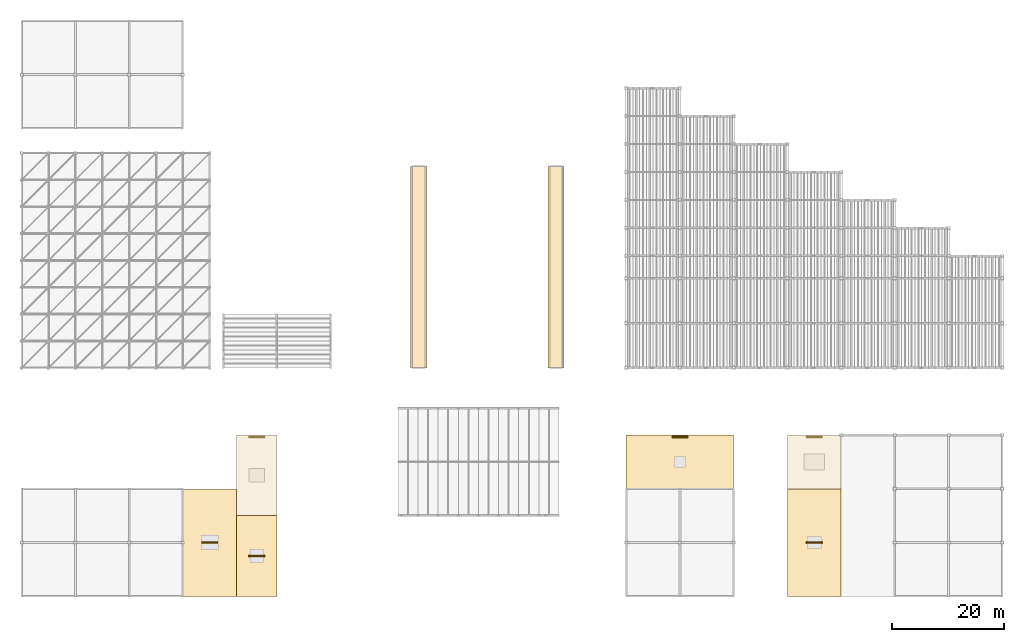
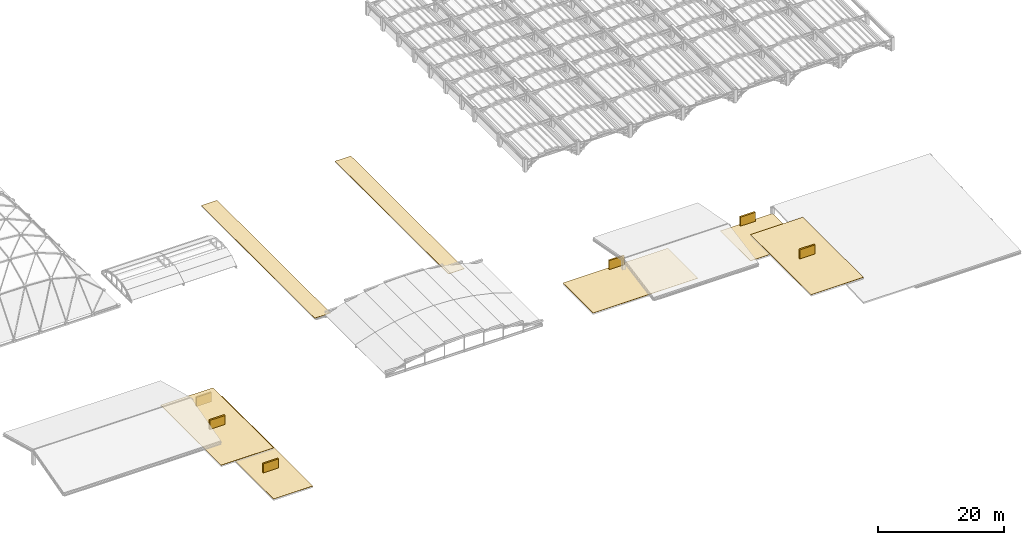
# One storey, part 70 of 70: 8 coverings, 6 shading devices.
"""IFC4 building model written with IfcOpenShell, lengths in metres."""

from ifc_helpers import new_model, si_unit, direction, frame, origin, origin_2d, place, context, subcontext, project, spatial, polyline, rectangle, outline, extrude, material, layer, layer_set, type_object, element, save


model = new_model("IFC4")

# Units and contexts
model_context = context("Model", 3, precision=1e-05, world=origin(), true_north=direction((0.0, 1.0)))
body_context = subcontext(model_context, "Body", "Model", "MODEL_VIEW")
ifc_project = project(units=[si_unit("LENGTHUNIT", "METRE"), si_unit("AREAUNIT", "SQUARE_METRE"), si_unit("VOLUMEUNIT", "CUBIC_METRE"), si_unit("PLANEANGLEUNIT", "RADIAN"), si_unit("MASSUNIT", "GRAM", prefix="KILO")], contexts=[model_context])

# Site, building, storey
site_placement = place(None, origin())
site = spatial("IfcSite", under=ifc_project, at=site_placement, CompositionType="ELEMENT")
building_placement = place(site_placement, origin())
building = spatial("IfcBuilding", under=site, at=building_placement, Name="Mavantir Sound Aquarium", CompositionType="ELEMENT")
storey_placement = place(building_placement, frame((0.0, 0.0, 27.0)))
storey = spatial("IfcBuildingStorey", under=building, at=storey_placement, Name="RF", CompositionType="ELEMENT", Elevation=27.0)

# Coverings
ifc_material_1 = material(Name="High-Albedo Cool Roof Membrane")
ifc_layer_1 = layer(ifc_material_1, 0.06005859375, Name="High-Albedo Cool Roof Membrane")
ifc_layer_set_1 = layer_set([ifc_layer_1], Name="High-Albedo Cool Roof Membrane")
covering_type_1 = type_object("IfcCoveringType", Name="COV-ROOF-COOL", PredefinedType="ROOFING", material=ifc_layer_set_1)
covering_1_placement = place(storey_placement, frame((0.0, 0.0, -21.60009765625)))
element("IfcCovering", 1, at=covering_1_placement, inside=storey, type_object=covering_type_1, Name="Roof membrane covering RF-FLAT-V6NW", PredefinedType="ROOFING", context=body_context, shape_type="SweptSolid", body=[
    extrude(outline(polyline([(108.0, 19.199951171875), (127.199951171875, 19.199951171875), (127.199951171875, 28.800048828125), (108.0, 28.800048828125), (108.0, 19.199951171875)])), origin(), (0.0, 0.0, 1.0), 0.050048828125),
])
covering_2_placement = place(storey_placement, frame((0.0, 0.0, -21.60009765625)))
element("IfcCovering", 2, at=covering_2_placement, inside=storey, type_object=covering_type_1, Name="Roof membrane covering RF-FLAT-V6NE", PredefinedType="ROOFING", context=body_context, shape_type="SweptSolid", body=[
    extrude(outline(polyline([(136.800048828125, 19.199951171875), (146.39990234375, 19.199951171875), (146.39990234375, 28.800048828125), (136.800048828125, 28.800048828125), (136.800048828125, 19.199951171875)])), origin(), (0.0, 0.0, 1.0), 0.050048828125),
])
covering_3_placement = place(storey_placement, frame((0.0, 0.0, -16.5)))
element("IfcCovering", 3, at=covering_3_placement, inside=storey, type_object=covering_type_1, Name="Roof membrane covering RF-FLAT-V6E1", PredefinedType="ROOFING", context=body_context, shape_type="SweptSolid", body=[
    extrude(outline(polyline([(136.800048828125, 0.0), (146.39990234375, 0.0), (146.39990234375, 19.199951171875), (136.800048828125, 19.199951171875), (136.800048828125, 0.0)])), origin(), (0.0, 0.0, 1.0), 0.050048828125),
])
ifc_material_2 = material(Name="Patinated Bronze-Copper Standing Seam Roofing")
ifc_layer_2 = layer(ifc_material_2, 0.050048828125, Name="Patinated Bronze-Copper Standing Seam Roofing")
ifc_layer_set_2 = layer_set([ifc_layer_2], Name="Patinated Bronze-Copper Standing Seam Roofing")
covering_type_2 = type_object("IfcCoveringType", Name="COV-ROOF-COPPER", PredefinedType="ROOFING", material=ifc_layer_set_2)
covering_4_placement = place(storey_placement, frame((0.0, 0.0, -21.60009765625)))
element("IfcCovering", 4, at=covering_4_placement, inside=storey, type_object=covering_type_2, Name="Roof membrane covering RF-FLAT-V3L0S", PredefinedType="ROOFING", context=body_context, shape_type="SweptSolid", body=[
    extrude(outline(polyline([(38.39990234375, 0.0), (45.60009765625, 0.0), (45.60009765625, 14.39990234375), (38.39990234375, 14.39990234375), (38.39990234375, 0.0)])), origin(), (0.0, 0.0, 1.0), 0.050048828125),
])
covering_5_placement = place(storey_placement, frame((0.0, 0.0, -21.60009765625)))
element("IfcCovering", 5, at=covering_5_placement, inside=storey, type_object=covering_type_2, Name="Roof membrane covering RF-FLAT-V3L0N", PredefinedType="ROOFING", context=body_context, shape_type="SweptSolid", body=[
    extrude(outline(polyline([(38.39990234375, 14.39990234375), (45.60009765625, 14.39990234375), (45.60009765625, 28.800048828125), (38.39990234375, 28.800048828125), (38.39990234375, 14.39990234375)])), origin(), (0.0, 0.0, 1.0), 0.050048828125),
])
covering_6_placement = place(storey_placement, frame((0.0, 0.0, -11.699951171875)))
element("IfcCovering", 6, at=covering_6_placement, inside=storey, type_object=covering_type_2, Name="Roof membrane covering RF-FLAT-V3L2", PredefinedType="ROOFING", context=body_context, shape_type="SweptSolid", body=[
    extrude(outline(polyline([(28.800048828125, 0.0), (38.39990234375, 0.0), (38.39990234375, 19.199951171875), (28.800048828125, 19.199951171875), (28.800048828125, 0.0)])), origin(), (0.0, 0.0, 1.0), 0.050048828125),
])
covering_7_placement = place(storey_placement, frame((0.0, 0.0, -22.239990234375)))
element("IfcCovering", 7, at=covering_7_placement, inside=storey, type_object=covering_type_2, Name="Colonnade bronze standing-seam roof W", PredefinedType="ROOFING", context=body_context, shape_type="SweptSolid", body=[
    extrude(outline(polyline([(69.5, 40.800048828125), (72.39990234375, 40.800048828125), (72.39990234375, 76.800048828125), (69.5, 76.800048828125), (69.5, 40.800048828125)])), origin(), (0.0, 0.0, 1.0), 0.050048828125),
])
covering_8_placement = place(storey_placement, frame((0.0, 0.0, -22.239990234375)))
element("IfcCovering", 8, at=covering_8_placement, inside=storey, type_object=covering_type_2, Name="Colonnade bronze standing-seam roof E", PredefinedType="ROOFING", context=body_context, shape_type="SweptSolid", body=[
    extrude(outline(polyline([(94.0, 40.800048828125), (96.89990234375, 40.800048828125), (96.89990234375, 76.800048828125), (94.0, 76.800048828125), (94.0, 40.800048828125)])), origin(), (0.0, 0.0, 1.0), 0.050048828125),
])

# Shading devices
ifc_material_3 = material(Name="Marine Powder-Coated Acoustic Aluminium Louvre", Category="aluminium")
shading_device_type = type_object("IfcShadingDeviceType", Name="SHD-LVR-AC", PredefinedType="SHUTTER", material=ifc_material_3)
for number, where, z_axis, x_axis, name in (
    (9, (42.0, 7.199951171875, -21.6201171875), (0.0, 0.0, 1.0), (1.0, 0.0, 0.0), "Acoustic rooftop plant louvre screen 1"),
    (10, (42.0, 28.449951171875, -21.6201171875), (0.0, 0.0, 1.0), (1.0, 0.0, 0.0), "Acoustic rooftop plant louvre screen 2"),
    (11, (33.60009765625, 9.60009765625, -11.72021484375), (0.0, 0.0, 1.0), (1.0, 0.0, 0.0), "Acoustic rooftop plant louvre screen 3"),
    (12, (117.60009765625, 28.449951171875, -21.6201171875), (0.0, 0.0, 1.0), (1.0, 0.0, 0.0), "Acoustic rooftop plant louvre screen 4"),
    (13, (141.60009765625, 28.449951171875, -21.6201171875), (0.0, 0.0, 1.0), (1.0, 0.0, 0.0), "Acoustic rooftop plant louvre screen 5"),
    (14, (141.60009765625, 9.60009765625, -16.52001953125), (0.0, 0.0, 1.0), (1.0, 0.0, 0.0), "Acoustic rooftop plant louvre screen 6"),
):
    element("IfcShadingDevice", number, at=place(storey_placement, frame(where, z_axis=z_axis, x_axis=x_axis)), inside=storey, type_object=shading_device_type, Name=name, PredefinedType="SHUTTER", context=body_context, shape_type="SweptSolid", body=[
        extrude(rectangle(XDim=2.800048828125, YDim=0.300048828125, at=origin_2d()), origin(), (0.0, 0.0, 1.0), 1.800048828125),
    ])

save(model, "model.ifc")
